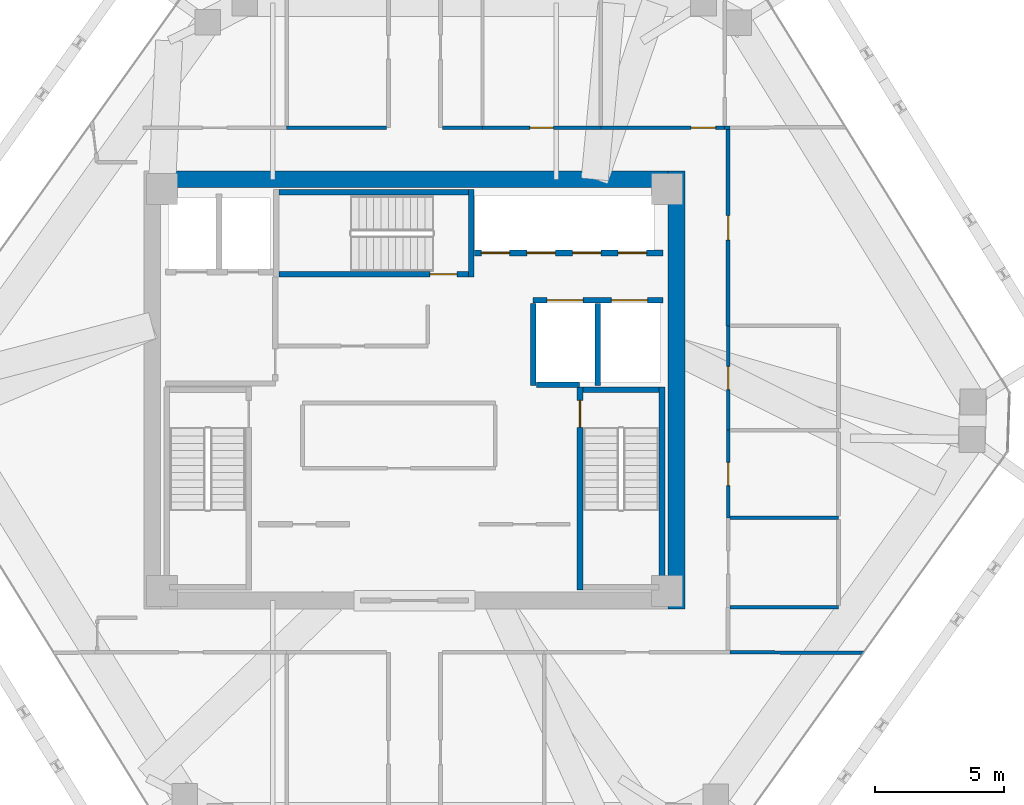
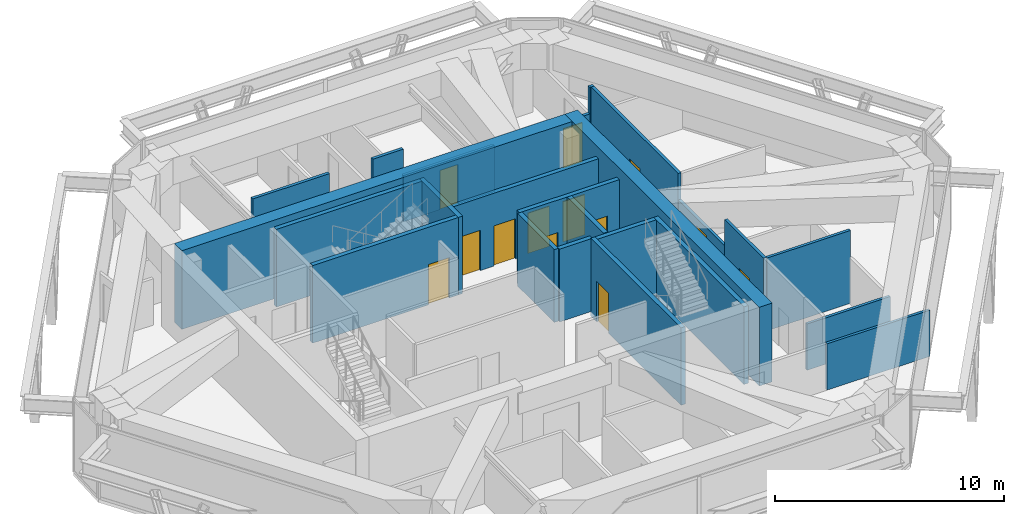
# One storey, part 9 of 11: 24 walls, 13 doors, 13 openings.
"""IFC4 building model written with IfcOpenShell, lengths in metres."""

from ifc_helpers import new_model, si_unit, direction, frame, frame_2d, origin, place, context, subcontext, project, spatial, rectangle, extrude, source, transform, mapped, material, layer, layer_set, type_object, type_shapes, element, fill, save


model = new_model("IFC4")

# Units and contexts
model_context = context("Model", 3, precision=1e-05, world=origin(), true_north=direction((0.0, 1.0)))
body_context = subcontext(model_context, "Body", "Model", "MODEL_VIEW")
ifc_project = project(units=[si_unit("LENGTHUNIT", "METRE"), si_unit("AREAUNIT", "SQUARE_METRE"), si_unit("VOLUMEUNIT", "CUBIC_METRE"), si_unit("PLANEANGLEUNIT", "RADIAN"), si_unit("MASSUNIT", "GRAM", prefix="KILO")], contexts=[model_context])

# Site, building, storey
site_placement = place(None, origin())
site = spatial("IfcSite", under=ifc_project, at=site_placement, CompositionType="ELEMENT")
building_placement = place(site_placement, origin())
building = spatial("IfcBuilding", under=site, at=building_placement, Name="Durnholm Broadcast Tower", CompositionType="ELEMENT")
storey_placement = place(building_placement, frame((0.0, 0.0, 209.199951171875)))
storey = spatial("IfcBuildingStorey", under=building, at=storey_placement, Name="L58", CompositionType="ELEMENT", Elevation=209.199951171875)

# Walls
ifc_material_1 = material(Name="Concrete C70/85", Category="concrete")
ifc_layer_1 = layer(ifc_material_1, 0.64990234375)
ifc_layer_set_1 = layer_set([ifc_layer_1], Name="Concrete C70/85")
wall_type_1 = type_object("IfcWallType", Name="WALL-CW-650", PredefinedType="SHEAR", material=ifc_layer_set_1)
wall_1_placement = place(storey_placement, frame((10.175048828125, -8.5, 0.0), z_axis=(0.0, 0.0, 1.0), x_axis=(0.0, 1.0, 0.0)))
element("IfcWall", 1, at=wall_1_placement, inside=storey, type_object=wall_type_1, Name="L58 central core shear wall CW-EAST", PredefinedType="SHEAR", context=body_context, shape_type="SweptSolid", body=[
    extrude(rectangle(XDim=17.0, YDim=0.64990234375, at=frame_2d((8.5, 0.0))), origin(), (0.0, 0.0, 1.0), 4.199951171875),
])
wall_2_placement = place(storey_placement, frame((-9.85009765625, 8.175048828125, 0.0), z_axis=(0.0, 0.0, 1.0), x_axis=(1.0, 0.0, 0.0)))
element("IfcWall", 2, at=wall_2_placement, inside=storey, type_object=wall_type_1, Name="L58 central core shear wall CW-N", PredefinedType="SHEAR", context=body_context, shape_type="SweptSolid", body=[
    extrude(rectangle(XDim=19.7001953125, YDim=0.64990234375, at=frame_2d((9.85009765625, 0.0))), origin(), (0.0, 0.0, 1.0), 4.199951171875),
])
ifc_material_2 = material(Name="Gypsum Metal Stud Partition", Category="concrete")
ifc_layer_2 = layer(ifc_material_2, 0.135009765625)
ifc_layer_set_2 = layer_set([ifc_layer_2], Name="Gypsum Metal Stud Partition")
wall_type_2 = type_object("IfcWallType", Name="WALL-PART-135", PredefinedType="PARTITIONING", material=ifc_layer_set_2)
wall_3_placement = place(storey_placement, frame((12.260009765625, -10.180419921875, 0.0), z_axis=(0.0, 0.0, 1.0), x_axis=(0.999990144117, -0.004439782427, 0.0)))
element("IfcWall", 3, at=wall_3_placement, inside=storey, type_object=wall_type_2, Name="L58 room dividing partition 17.20", PredefinedType="PARTITIONING", context=body_context, shape_type="SweptSolid", body=[
    extrude(rectangle(XDim=5.1689453125, YDim=0.135009765625, at=frame_2d((2.58447265625, 0.0))), origin(), (0.0, 0.0, 1.0), 2.469970703125),
])
ifc_material_3 = material(Name="Acoustic Gypsum Stud Partition", Category="concrete")
ifc_layer_3 = layer(ifc_material_3, 0.14990234375)
ifc_layer_set_3 = layer_set([ifc_layer_3], Name="Acoustic Gypsum Stud Partition")
wall_type_3 = type_object("IfcWallType", Name="WALL-PART-150", PredefinedType="PARTITIONING", material=ifc_layer_set_3)
wall_4_placement = place(storey_placement, frame((-1.089111328125, 10.179931640625, 0.0), z_axis=(0.0, 0.0, 1.0), x_axis=(-1.0, 0.0, 0.0)))
element("IfcWall", 4, at=wall_4_placement, inside=storey, type_object=wall_type_3, Name="L58 Soundtrack Mixing Office corridor partition", PredefinedType="PARTITIONING", context=body_context, shape_type="SweptSolid", body=[
    extrude(rectangle(XDim=3.870849609375, YDim=0.14990234375, at=frame_2d((1.935546875, 0.0))), origin(), (0.0, 0.0, 1.0), 3.885009765625),
])
wall_5_placement = place(storey_placement, frame((2.639892578125, 10.179931640625, 0.0), z_axis=(0.0, 0.0, 1.0), x_axis=(-1.0, 0.0, 0.0)))
element("IfcWall", 5, at=wall_5_placement, inside=storey, type_object=wall_type_3, Name="L58 Licensing Meeting Room corridor partition", PredefinedType="PARTITIONING", context=body_context, shape_type="SweptSolid", body=[
    extrude(rectangle(XDim=1.55078125, YDim=0.14990234375, at=frame_2d((0.775390625, 0.0))), origin(), (0.0, 0.0, 1.0), 3.885009765625),
])

# Wall, opening, door
wall_6_placement = place(storey_placement, frame((7.239990234375, 10.179931640625, 0.0), z_axis=(0.0, 0.0, 1.0), x_axis=(-1.0, 0.0, 0.0)))
wall_6 = element("IfcWall", 6, at=wall_6_placement, inside=storey, type_object=wall_type_3, Name="L58 Composer Office 1 corridor partition", PredefinedType="PARTITIONING", context=body_context, shape_type="SweptSolid", body=[
    extrude(rectangle(XDim=4.60009765625, YDim=0.14990234375, at=frame_2d((2.300048828125, 0.0))), origin(), (0.0, 0.0, 1.0), 2.469970703125),
])
opening_1_placement = place(wall_6_placement, frame((1.840087890625, 0.0, 0.0)))
opening_1 = element("IfcOpeningElement", 7, at=opening_1_placement, cuts=wall_6, Name="Opening DR-92R", PredefinedType="OPENING", context=body_context, shape_type="SweptSolid", body=[
    extrude(rectangle(XDim=0.919921875, YDim=2.10009765625, at=frame_2d((0.4599609375, 1.050048828125))), frame((0.0, 0.0849609375, 0.0), z_axis=(0.0, -1.0, 0.0), x_axis=(1.0, 0.0, 0.0)), (0.0, 0.0, 1.0), 0.169921875),
])
ifc_material_4 = material(Name="Oak Veneer Office Door", Category="wood")
ifc_layer_4 = layer(ifc_material_4, 0.050048828125)
ifc_layer_set_4 = layer_set([ifc_layer_4], Name="Oak Veneer Office Door")
door_type_1 = type_object("IfcDoorType", Name="DOOR-RM-920R", OperationType="NOTDEFINED", PredefinedType="DOOR", material=ifc_layer_set_4)
shared_shape_1 = source(origin(), body_context, "Body", "SweptSolid", [
    extrude(rectangle(XDim=0.919921875, YDim=2.10009765625, at=frame_2d((0.4599609375, 1.050048828125))), frame((0.0, 0.02490234375, 0.0), z_axis=(0.0, -1.0, 0.0), x_axis=(1.0, 0.0, 0.0)), (0.0, 0.0, 1.0), 0.050048828125),
])
type_shapes(door_type_1, [shared_shape_1])
door_1_placement = place(opening_1_placement, origin())
door_1 = element("IfcDoor", 8, at=door_1_placement, inside=storey, type_object=door_type_1, Name="L58 Composer Office 1 entrance door", OperationType="SINGLE_SWING_RIGHT", OverallHeight=2.10009765625, OverallWidth=0.919921875, PredefinedType="DOOR", context=body_context, shape_type="MappedRepresentation", body=[
    mapped(shared_shape_1, transform((0.0, 0.0, 0.0), x_axis=(1.0, 0.0, 0.0), y_axis=(0.0, 1.0, 0.0), z_axis=(0.0, 0.0, 1.0), scale=1.0)),
])
fill(opening_1, door_1)

wall_7_placement = place(storey_placement, frame((12.0400390625, 10.179931640625, 0.0), z_axis=(0.0, 0.0, 1.0), x_axis=(-1.0, 0.0, 0.0)))
wall_7 = element("IfcWall", 9, at=wall_7_placement, inside=storey, type_object=wall_type_3, Name="L58 Composer Office 2 corridor partition", PredefinedType="PARTITIONING", context=body_context, shape_type="SweptSolid", body=[
    extrude(rectangle(XDim=4.800048828125, YDim=0.14990234375, at=frame_2d((2.39990234375, 0.0))), origin(), (0.0, 0.0, 1.0), 2.469970703125),
])
opening_2_placement = place(wall_7_placement, frame((0.35009765625, 0.0, 0.0)))
opening_2 = element("IfcOpeningElement", 10, at=opening_2_placement, cuts=wall_7, Name="Opening DR-95L", PredefinedType="OPENING", context=body_context, shape_type="SweptSolid", body=[
    extrude(rectangle(XDim=0.949951171875, YDim=2.10009765625, at=frame_2d((0.47509765625, 1.050048828125))), frame((0.0, 0.0849609375, 0.0), z_axis=(0.0, -1.0, 0.0), x_axis=(1.0, 0.0, 0.0)), (0.0, 0.0, 1.0), 0.169921875),
])
ifc_material_5 = material(Name="Acoustic Oak Veneer Timber Door", Category="wood")
ifc_layer_5 = layer(ifc_material_5, 0.050048828125)
ifc_layer_set_5 = layer_set([ifc_layer_5], Name="Acoustic Oak Veneer Timber Door")
door_type_2 = type_object("IfcDoorType", Name="DOOR-RM-950L", OperationType="NOTDEFINED", PredefinedType="DOOR", material=ifc_layer_set_5)
shared_shape_2 = source(origin(), body_context, "Body", "SweptSolid", [
    extrude(rectangle(XDim=0.949951171875, YDim=2.10009765625, at=frame_2d((0.47509765625, 1.050048828125))), frame((0.0, 0.02490234375, 0.0), z_axis=(0.0, -1.0, 0.0), x_axis=(1.0, 0.0, 0.0)), (0.0, 0.0, 1.0), 0.050048828125),
])
type_shapes(door_type_2, [shared_shape_2])
door_2_placement = place(opening_2_placement, origin())
door_2 = element("IfcDoor", 11, at=door_2_placement, inside=storey, type_object=door_type_2, Name="L58 Composer Office 2 entrance door", OperationType="SINGLE_SWING_LEFT", OverallHeight=2.10009765625, OverallWidth=0.949951171875, PredefinedType="DOOR", context=body_context, shape_type="MappedRepresentation", body=[
    mapped(shared_shape_2, transform((0.0, 0.0, 0.0), x_axis=(1.0, 0.0, 0.0), y_axis=(0.0, 1.0, 0.0), z_axis=(0.0, 0.0, 1.0), scale=1.0)),
])
fill(opening_2, door_2)

# Wall
wall_8_placement = place(storey_placement, frame((12.260009765625, 10.179931640625, 0.0), z_axis=(0.0, 0.0, 1.0), x_axis=(-1.0, 0.0, 0.0)))
element("IfcWall", 12, at=wall_8_placement, inside=storey, type_object=wall_type_3, Name="L58 Royalty Analyst Office corridor partition", PredefinedType="PARTITIONING", context=body_context, shape_type="SweptSolid", body=[
    extrude(rectangle(XDim=0.219970703125, YDim=0.14990234375, at=frame_2d((0.10986328125, 0.0))), origin(), (0.0, 0.0, 1.0), 3.885009765625),
])

# Wall, opening, door
wall_9_placement = place(storey_placement, frame((12.179931640625, 2.489990234375, 0.0), z_axis=(0.0, 0.0, 1.0), x_axis=(0.0, 1.0, 0.0)))
wall_9 = element("IfcWall", 13, at=wall_9_placement, inside=storey, type_object=wall_type_3, Name="L58 Composer Office 2 corridor partition", PredefinedType="PARTITIONING", context=body_context, shape_type="SweptSolid", body=[
    extrude(rectangle(XDim=7.611083984375, YDim=0.14990234375, at=frame_2d((3.8056640625, 0.0))), origin(), (0.0, 0.0, 1.0), 3.885009765625),
])
opening_3_placement = place(wall_9_placement, frame((3.33056640625, 0.0, 0.0)))
opening_3 = element("IfcOpeningElement", 14, at=opening_3_placement, cuts=wall_9, Name="Opening DR-95R", PredefinedType="OPENING", context=body_context, shape_type="SweptSolid", body=[
    extrude(rectangle(XDim=0.949951171875, YDim=2.10009765625, at=frame_2d((0.47509765625, 1.050048828125))), frame((0.0, 0.0849609375, 0.0), z_axis=(0.0, -1.0, 0.0), x_axis=(1.0, 0.0, 0.0)), (0.0, 0.0, 1.0), 0.169921875),
])
ifc_layer_6 = layer(ifc_material_5, 0.050048828125)
ifc_layer_set_6 = layer_set([ifc_layer_6], Name="Acoustic Oak Veneer Timber Door")
door_type_3 = type_object("IfcDoorType", Name="DOOR-RM-950R", OperationType="NOTDEFINED", PredefinedType="DOOR", material=ifc_layer_set_6)
shared_shape_3 = source(origin(), body_context, "Body", "SweptSolid", [
    extrude(rectangle(XDim=0.949951171875, YDim=2.10009765625, at=frame_2d((0.47509765625, 1.050048828125))), frame((0.0, 0.02490234375, 0.0), z_axis=(0.0, -1.0, 0.0), x_axis=(1.0, 0.0, 0.0)), (0.0, 0.0, 1.0), 0.050048828125),
])
type_shapes(door_type_3, [shared_shape_3])
door_3_placement = place(opening_3_placement, origin())
door_3 = element("IfcDoor", 15, at=door_3_placement, inside=storey, type_object=door_type_3, Name="L58 Composer Office 2 entrance door", OperationType="SINGLE_SWING_RIGHT", OverallHeight=2.10009765625, OverallWidth=0.949951171875, PredefinedType="DOOR", context=body_context, shape_type="MappedRepresentation", body=[
    mapped(shared_shape_3, transform((0.0, 0.0, 0.0), x_axis=(1.0, 0.0, 0.0), y_axis=(0.0, 1.0, 0.0), z_axis=(0.0, 0.0, 1.0), scale=1.0)),
])
fill(opening_3, door_3)

# Wall, openings, doors
ifc_material_6 = material(Name="Concrete Blockwork C30/37", Category="masonry")
ifc_layer_7 = layer(ifc_material_6, 0.219970703125)
ifc_layer_set_7 = layer_set([ifc_layer_7], Name="Concrete Blockwork C30/37")
wall_type_4 = type_object("IfcWallType", Name="WALL-SHAFT-220", PredefinedType="SOLIDWALL", material=ifc_layer_set_7)
wall_10_placement = place(storey_placement, frame((4.60009765625, 3.47998046875, 0.0), z_axis=(0.0, 0.0, 1.0), x_axis=(1.0, 0.0, 0.0)))
wall_10 = element("IfcWall", 16, at=wall_10_placement, inside=storey, type_object=wall_type_4, Name="L58 freight service lifts north front wall", PredefinedType="SOLIDWALL", context=body_context, shape_type="SweptSolid", body=[
    extrude(rectangle(XDim=5.0498046875, YDim=0.219970703125, at=frame_2d((2.52490234375, 0.0))), origin(), (0.0, 0.0, 1.0), 3.885009765625),
])
opening_4_placement = place(wall_10_placement, frame((0.550048828125, 0.0, 0.0)))
opening_4 = element("IfcOpeningElement", 17, at=opening_4_placement, cuts=wall_10, Name="Opening LD-SVL-2", PredefinedType="OPENING", context=body_context, shape_type="SweptSolid", body=[
    extrude(rectangle(XDim=1.39990234375, YDim=2.14990234375, at=frame_2d((0.699951171875, 1.074951171875))), frame((0.0, 0.1201171875, 0.0), z_axis=(0.0, -1.0, 0.0), x_axis=(1.0, 0.0, 0.0)), (0.0, 0.0, 1.0), 0.239990234375),
])
opening_5_placement = place(wall_10_placement, frame((3.050048828125, 0.0, 0.0)))
opening_5 = element("IfcOpeningElement", 18, at=opening_5_placement, cuts=wall_10, Name="Opening LD-SVL-1", PredefinedType="OPENING", context=body_context, shape_type="SweptSolid", body=[
    extrude(rectangle(XDim=1.39990234375, YDim=2.14990234375, at=frame_2d((0.699951171875, 1.074951171875))), frame((0.0, 0.1201171875, 0.0), z_axis=(0.0, -1.0, 0.0), x_axis=(1.0, 0.0, 0.0)), (0.0, 0.0, 1.0), 0.239990234375),
])
ifc_material_7 = material(Name="Freight Elevator Bi-Parting Sliding Landing Door", Category="steel")
ifc_layer_8 = layer(ifc_material_7, 0.050048828125)
ifc_layer_set_8 = layer_set([ifc_layer_8], Name="Freight Elevator Bi-Parting Sliding Landing Door")
door_type_4 = type_object("IfcDoorType", Name="DOOR-LIFT-SVL", OperationType="DOUBLE_DOOR_SLIDING", PredefinedType="DOOR", material=ifc_layer_set_8)
shared_shape_4 = source(origin(), body_context, "Body", "SweptSolid", [
    extrude(rectangle(XDim=1.39990234375, YDim=2.14990234375, at=frame_2d((0.699951171875, 1.074951171875))), frame((0.0, 0.02490234375, 0.0), z_axis=(0.0, -1.0, 0.0), x_axis=(1.0, 0.0, 0.0)), (0.0, 0.0, 1.0), 0.050048828125),
])
type_shapes(door_type_4, [shared_shape_4])
door_4_placement = place(opening_4_placement, origin())
door_4 = element("IfcDoor", 19, at=door_4_placement, inside=storey, type_object=door_type_4, Name="L58 freight service elevator SVL-2 sliding landing door", OperationType="DOUBLE_DOOR_SLIDING", OverallHeight=2.14990234375, OverallWidth=1.39990234375, PredefinedType="DOOR", context=body_context, shape_type="MappedRepresentation", body=[
    mapped(shared_shape_4, transform((0.0, 0.0, 0.0), x_axis=(1.0, 0.0, 0.0), y_axis=(0.0, 1.0, 0.0), z_axis=(0.0, 0.0, 1.0), scale=1.0)),
])
fill(opening_4, door_4)
door_5_placement = place(opening_5_placement, origin())
door_5 = element("IfcDoor", 20, at=door_5_placement, inside=storey, type_object=door_type_4, Name="L58 freight service elevator SVL-1 sliding landing door", OperationType="DOUBLE_DOOR_SLIDING", OverallHeight=2.14990234375, OverallWidth=1.39990234375, PredefinedType="DOOR", context=body_context, shape_type="MappedRepresentation", body=[
    mapped(shared_shape_4, transform((0.0, 0.0, 0.0), x_axis=(1.0, 0.0, 0.0), y_axis=(0.0, 1.0, 0.0), z_axis=(0.0, 0.0, 1.0), scale=1.0)),
])
fill(opening_5, door_5)

# Walls
for number, where, z_axis, x_axis, name in (
    (21, (4.6201171875, 0.179931640625, 0.0), (0.0, 0.0, 1.0), (0.0, 1.0, 0.0), "L58 freight service lift SVL-2 west wall"),
    (22, (7.1201171875, 0.179931640625, 0.0), (0.0, 0.0, 1.0), (0.0, 1.0, 0.0), "L58 freight service lifts divider wall"),
):
    element("IfcWall", number, at=place(storey_placement, frame(where, z_axis=z_axis, x_axis=x_axis)), inside=storey, type_object=wall_type_4, Name=name, PredefinedType="SOLIDWALL", context=body_context, shape_type="SweptSolid", body=[
        extrude(rectangle(XDim=3.18603515625, YDim=0.219970703125, at=frame_2d((1.593017578125, 0.0))), origin(), (0.0, 0.0, 1.0), 3.885009765625),
    ])
wall_11_placement = place(storey_placement, frame((4.73388671875, 0.199951171875, 0.0), z_axis=(0.0, 0.0, 1.0), x_axis=(1.0, 0.0, 0.0)))
element("IfcWall", 23, at=wall_11_placement, inside=storey, type_object=wall_type_4, Name="L58 freight service lift SVL-2 south wall", PredefinedType="SOLIDWALL", context=body_context, shape_type="SweptSolid", body=[
    extrude(rectangle(XDim=1.666015625, YDim=0.219970703125, at=frame_2d((0.8330078125, 0.0))), origin(), (0.0, 0.0, 1.0), 3.885009765625),
])

# Wall, openings, doors
wall_12_placement = place(storey_placement, frame((2.324951171875, 5.320068359375, 0.0), z_axis=(0.0, 0.0, 1.0), x_axis=(1.0, 0.0, 0.0)))
wall_12 = element("IfcWall", 24, at=wall_12_placement, inside=storey, type_object=wall_type_4, Name="L58 high-rise bank P3 south front wall", PredefinedType="SOLIDWALL", context=body_context, shape_type="SweptSolid", body=[
    extrude(rectangle(XDim=7.324951171875, YDim=0.219970703125, at=frame_2d((3.66259765625, 0.0))), origin(), (0.0, 0.0, 1.0), 3.885009765625),
])
opening_6_placement = place(wall_12_placement, frame((0.27490234375, 0.0, 0.0)))
opening_6 = element("IfcOpeningElement", 25, at=opening_6_placement, cuts=wall_12, Name="Opening LD-LP3-1", PredefinedType="OPENING", context=body_context, shape_type="SweptSolid", body=[
    extrude(rectangle(XDim=1.10009765625, YDim=2.14990234375, at=frame_2d((0.550048828125, 1.074951171875))), frame((0.0, 0.1201171875, 0.0), z_axis=(0.0, -1.0, 0.0), x_axis=(1.0, 0.0, 0.0)), (0.0, 0.0, 1.0), 0.239990234375),
])
opening_7_placement = place(wall_12_placement, frame((2.044921875, 0.0, 0.0)))
opening_7 = element("IfcOpeningElement", 26, at=opening_7_placement, cuts=wall_12, Name="Opening LD-LP3-2", PredefinedType="OPENING", context=body_context, shape_type="SweptSolid", body=[
    extrude(rectangle(XDim=1.10009765625, YDim=2.14990234375, at=frame_2d((0.550048828125, 1.074951171875))), frame((0.0, 0.1201171875, 0.0), z_axis=(0.0, -1.0, 0.0), x_axis=(1.0, 0.0, 0.0)), (0.0, 0.0, 1.0), 0.239990234375),
])
opening_8_placement = place(wall_12_placement, frame((3.81494140625, 0.0, 0.0)))
opening_8 = element("IfcOpeningElement", 27, at=opening_8_placement, cuts=wall_12, Name="Opening LD-LP3-3", PredefinedType="OPENING", context=body_context, shape_type="SweptSolid", body=[
    extrude(rectangle(XDim=1.10009765625, YDim=2.14990234375, at=frame_2d((0.550048828125, 1.074951171875))), frame((0.0, 0.1201171875, 0.0), z_axis=(0.0, -1.0, 0.0), x_axis=(1.0, 0.0, 0.0)), (0.0, 0.0, 1.0), 0.239990234375),
])
opening_9_placement = place(wall_12_placement, frame((5.5849609375, 0.0, 0.0)))
opening_9 = element("IfcOpeningElement", 28, at=opening_9_placement, cuts=wall_12, Name="Opening LD-LP3-4", PredefinedType="OPENING", context=body_context, shape_type="SweptSolid", body=[
    extrude(rectangle(XDim=1.10009765625, YDim=2.14990234375, at=frame_2d((0.550048828125, 1.074951171875))), frame((0.0, 0.1201171875, 0.0), z_axis=(0.0, -1.0, 0.0), x_axis=(1.0, 0.0, 0.0)), (0.0, 0.0, 1.0), 0.239990234375),
])
ifc_material_8 = material(Name="Stainless Steel Sliding Elevator Landing Door", Category="steel")
ifc_layer_9 = layer(ifc_material_8, 0.050048828125)
ifc_layer_set_9 = layer_set([ifc_layer_9], Name="Stainless Steel Sliding Elevator Landing Door")
door_type_5 = type_object("IfcDoorType", Name="DOOR-LIFT-PAX", OperationType="DOUBLE_DOOR_SLIDING", PredefinedType="DOOR", material=ifc_layer_set_9)
shared_shape_5 = source(origin(), body_context, "Body", "SweptSolid", [
    extrude(rectangle(XDim=1.10009765625, YDim=2.14990234375, at=frame_2d((0.550048828125, 1.074951171875))), frame((0.0, 0.02490234375, 0.0), z_axis=(0.0, -1.0, 0.0), x_axis=(1.0, 0.0, 0.0)), (0.0, 0.0, 1.0), 0.050048828125),
])
type_shapes(door_type_5, [shared_shape_5])
door_6_placement = place(opening_6_placement, origin())
door_6 = element("IfcDoor", 29, at=door_6_placement, inside=storey, type_object=door_type_5, Name="L58 high-rise elevator LP3-1 sliding landing door", OperationType="DOUBLE_DOOR_SLIDING", OverallHeight=2.14990234375, OverallWidth=1.10009765625, PredefinedType="DOOR", context=body_context, shape_type="MappedRepresentation", body=[
    mapped(shared_shape_5, transform((0.0, 0.0, 0.0), x_axis=(1.0, 0.0, 0.0), y_axis=(0.0, 1.0, 0.0), z_axis=(0.0, 0.0, 1.0), scale=1.0)),
])
fill(opening_6, door_6)
door_7_placement = place(opening_7_placement, origin())
door_7 = element("IfcDoor", 30, at=door_7_placement, inside=storey, type_object=door_type_5, Name="L58 high-rise elevator LP3-2 sliding landing door", OperationType="DOUBLE_DOOR_SLIDING", OverallHeight=2.14990234375, OverallWidth=1.10009765625, PredefinedType="DOOR", context=body_context, shape_type="MappedRepresentation", body=[
    mapped(shared_shape_5, transform((0.0, 0.0, 0.0), x_axis=(1.0, 0.0, 0.0), y_axis=(0.0, 1.0, 0.0), z_axis=(0.0, 0.0, 1.0), scale=1.0)),
])
fill(opening_7, door_7)
door_8_placement = place(opening_8_placement, origin())
door_8 = element("IfcDoor", 31, at=door_8_placement, inside=storey, type_object=door_type_5, Name="L58 high-rise elevator LP3-3 sliding landing door", OperationType="DOUBLE_DOOR_SLIDING", OverallHeight=2.14990234375, OverallWidth=1.10009765625, PredefinedType="DOOR", context=body_context, shape_type="MappedRepresentation", body=[
    mapped(shared_shape_5, transform((0.0, 0.0, 0.0), x_axis=(1.0, 0.0, 0.0), y_axis=(0.0, 1.0, 0.0), z_axis=(0.0, 0.0, 1.0), scale=1.0)),
])
fill(opening_8, door_8)
door_9_placement = place(opening_9_placement, origin())
door_9 = element("IfcDoor", 32, at=door_9_placement, inside=storey, type_object=door_type_5, Name="L58 high-rise elevator LP3-4 sliding landing door", OperationType="DOUBLE_DOOR_SLIDING", OverallHeight=2.14990234375, OverallWidth=1.10009765625, PredefinedType="DOOR", context=body_context, shape_type="MappedRepresentation", body=[
    mapped(shared_shape_5, transform((0.0, 0.0, 0.0), x_axis=(1.0, 0.0, 0.0), y_axis=(0.0, 1.0, 0.0), z_axis=(0.0, 0.0, 1.0), scale=1.0)),
])
fill(opening_9, door_9)

# Wall
ifc_material_9 = material(Name="Concrete C50/60", Category="concrete")
ifc_layer_10 = layer(ifc_material_9, 0.219970703125)
ifc_layer_set_10 = layer_set([ifc_layer_10], Name="Concrete C50/60")
wall_type_5 = type_object("IfcWallType", Name="WALL-SW-220", PredefinedType="SHEAR", material=ifc_layer_set_10)
wall_13_placement = place(storey_placement, frame((9.610107421875, -7.77001953125, -0.239990234375), z_axis=(0.0, 0.0, 1.0), x_axis=(0.0, 1.0, 0.0)))
element("IfcWall", 33, at=wall_13_placement, inside=storey, type_object=wall_type_5, Name="L58 stair ST-2 structural shaft wall E", PredefinedType="SHEAR", context=body_context, shape_type="SweptSolid", body=[
    extrude(rectangle(XDim=7.89013671875, YDim=0.219970703125, at=frame_2d((3.945068359375, 0.0))), origin(), (0.0, 0.0, 1.0), 4.14013671875),
])

# Wall, opening, door
wall_14_placement = place(storey_placement, frame((6.429931640625, 0.1201171875, -0.239990234375), z_axis=(0.0, 0.0, 1.0), x_axis=(0.0, -1.0, 0.0)))
wall_14 = element("IfcWall", 34, at=wall_14_placement, inside=storey, type_object=wall_type_5, Name="L58 stair ST-2 structural shaft wall W", PredefinedType="SHEAR", context=body_context, shape_type="SweptSolid", body=[
    extrude(rectangle(XDim=7.89013671875, YDim=0.219970703125, at=frame_2d((3.945068359375, 0.0))), origin(), (0.0, 0.0, 1.0), 4.14013671875),
])
opening_10_placement = place(wall_14_placement, frame((0.52001953125, 0.0, 0.0)))
opening_10 = element("IfcOpeningElement", 35, at=opening_10_placement, cuts=wall_14, Name="Opening DS-90R", PredefinedType="OPENING", context=body_context, shape_type="SweptSolid", body=[
    extrude(rectangle(XDim=1.050048828125, YDim=2.14990234375, at=frame_2d((0.52490234375, 1.074951171875))), frame((0.0, 0.1201171875, 0.0), z_axis=(0.0, -1.0, 0.0), x_axis=(1.0, 0.0, 0.0)), (0.0, 0.0, 1.0), 0.239990234375),
])
ifc_material_10 = material(Name="Fire-Rated Steel Door", Category="steel")
ifc_layer_11 = layer(ifc_material_10, 0.050048828125)
ifc_layer_set_11 = layer_set([ifc_layer_11], Name="Fire-Rated Steel Door")
door_type_6 = type_object("IfcDoorType", Name="DOOR-ST-FD90-R", OperationType="NOTDEFINED", PredefinedType="DOOR", material=ifc_layer_set_11)
shared_shape_6 = source(origin(), body_context, "Body", "SweptSolid", [
    extrude(rectangle(XDim=1.050048828125, YDim=2.14990234375, at=frame_2d((0.52490234375, 1.074951171875))), frame((0.0, 0.02490234375, 0.0), z_axis=(0.0, -1.0, 0.0), x_axis=(1.0, 0.0, 0.0)), (0.0, 0.0, 1.0), 0.050048828125),
])
type_shapes(door_type_6, [shared_shape_6])
door_10_placement = place(opening_10_placement, origin())
door_10 = element("IfcDoor", 36, at=door_10_placement, inside=storey, type_object=door_type_6, Name="L58 exit stair ST-2 fire door", OperationType="SINGLE_SWING_RIGHT", OverallHeight=2.14990234375, OverallWidth=1.050048828125, PredefinedType="DOOR", context=body_context, shape_type="MappedRepresentation", body=[
    mapped(shared_shape_6, transform((0.0, 0.0, 0.0), x_axis=(1.0, 0.0, 0.0), y_axis=(0.0, 1.0, 0.0), z_axis=(0.0, 0.0, 1.0), scale=1.0)),
])
fill(opening_10, door_10)

# Walls
wall_15_placement = place(storey_placement, frame((9.5, 0.010009765625, -0.239990234375), z_axis=(0.0, 0.0, 1.0), x_axis=(-1.0, 0.0, 0.0)))
element("IfcWall", 37, at=wall_15_placement, inside=storey, type_object=wall_type_5, Name="L58 stair ST-2 structural shaft wall N", PredefinedType="SHEAR", context=body_context, shape_type="SweptSolid", body=[
    extrude(rectangle(XDim=2.9599609375, YDim=0.219970703125, at=frame_2d((1.47998046875, 0.0))), origin(), (0.0, 0.0, 1.0), 4.14013671875),
])
wall_16_placement = place(storey_placement, frame((2.2099609375, 4.3798828125, -0.239990234375), z_axis=(0.0, 0.0, 1.0), x_axis=(0.0, 1.0, 0.0)))
element("IfcWall", 38, at=wall_16_placement, inside=storey, type_object=wall_type_5, Name="L58 stair ST-3 structural shaft wall E", PredefinedType="SHEAR", context=body_context, shape_type="SweptSolid", body=[
    extrude(rectangle(XDim=3.400146484375, YDim=0.219970703125, at=frame_2d((1.7001953125, 0.0))), origin(), (0.0, 0.0, 1.0), 4.14013671875),
])

# Wall, opening, door
wall_17_placement = place(storey_placement, frame((-5.25, 4.489990234375, -0.239990234375), z_axis=(0.0, 0.0, 1.0), x_axis=(1.0, 0.0, 0.0)))
wall_17 = element("IfcWall", 39, at=wall_17_placement, inside=storey, type_object=wall_type_5, Name="L58 stair ST-3 structural shaft wall S", PredefinedType="SHEAR", context=body_context, shape_type="SweptSolid", body=[
    extrude(rectangle(XDim=7.35009765625, YDim=0.219970703125, at=frame_2d((3.675048828125, 0.0))), origin(), (0.0, 0.0, 1.0), 4.14013671875),
])
opening_11_placement = place(wall_17_placement, frame((5.85009765625, 0.0, 0.0)))
opening_11 = element("IfcOpeningElement", 40, at=opening_11_placement, cuts=wall_17, Name="Opening DS-90L", PredefinedType="OPENING", context=body_context, shape_type="SweptSolid", body=[
    extrude(rectangle(XDim=1.050048828125, YDim=2.14990234375, at=frame_2d((0.52490234375, 1.074951171875))), frame((0.0, 0.1201171875, 0.0), z_axis=(0.0, -1.0, 0.0), x_axis=(1.0, 0.0, 0.0)), (0.0, 0.0, 1.0), 0.239990234375),
])
ifc_layer_12 = layer(ifc_material_10, 0.050048828125)
ifc_layer_set_12 = layer_set([ifc_layer_12], Name="Fire-Rated Steel Door")
door_type_7 = type_object("IfcDoorType", Name="DOOR-ST-FD90-L", OperationType="NOTDEFINED", PredefinedType="DOOR", material=ifc_layer_set_12)
shared_shape_7 = source(origin(), body_context, "Body", "SweptSolid", [
    extrude(rectangle(XDim=1.050048828125, YDim=2.14990234375, at=frame_2d((0.52490234375, 1.074951171875))), frame((0.0, 0.02490234375, 0.0), z_axis=(0.0, -1.0, 0.0), x_axis=(1.0, 0.0, 0.0)), (0.0, 0.0, 1.0), 0.050048828125),
])
type_shapes(door_type_7, [shared_shape_7])
door_11_placement = place(opening_11_placement, origin())
door_11 = element("IfcDoor", 41, at=door_11_placement, inside=storey, type_object=door_type_7, Name="L58 exit stair ST-3 fire door", OperationType="SINGLE_SWING_LEFT", OverallHeight=2.14990234375, OverallWidth=1.050048828125, PredefinedType="DOOR", context=body_context, shape_type="MappedRepresentation", body=[
    mapped(shared_shape_7, transform((0.0, 0.0, 0.0), x_axis=(1.0, 0.0, 0.0), y_axis=(0.0, 1.0, 0.0), z_axis=(0.0, 0.0, 1.0), scale=1.0)),
])
fill(opening_11, door_11)

# Wall
wall_18_placement = place(storey_placement, frame((2.10009765625, 7.669921875, -0.239990234375), z_axis=(0.0, 0.0, 1.0), x_axis=(-1.0, 0.0, 0.0)))
element("IfcWall", 42, at=wall_18_placement, inside=storey, type_object=wall_type_5, Name="L58 stair ST-3 structural shaft wall N", PredefinedType="SHEAR", context=body_context, shape_type="SweptSolid", body=[
    extrude(rectangle(XDim=7.35009765625, YDim=0.219970703125, at=frame_2d((3.675048828125, 0.0))), origin(), (0.0, 0.0, 1.0), 4.14013671875),
])

# Wall, opening, door
ifc_material_11 = material(Name="Moisture-Resistant Tile Partition", Category="concrete")
ifc_layer_13 = layer(ifc_material_11, 0.139892578125)
ifc_layer_set_13 = layer_set([ifc_layer_13], Name="Moisture-Resistant Tile Partition")
wall_type_6 = type_object("IfcWallType", Name="WALL-WC-140", PredefinedType="PARTITIONING", material=ifc_layer_set_13)
wall_19_placement = place(storey_placement, frame((12.179931640625, -4.9599609375, 0.0), z_axis=(0.0, 0.0, 1.0), x_axis=(0.0, 1.0, 0.0)))
wall_19 = element("IfcWall", 43, at=wall_19_placement, inside=storey, type_object=wall_type_6, Name="L58 Women's Restroom corridor partition", PredefinedType="PARTITIONING", context=body_context, shape_type="SweptSolid", body=[
    extrude(rectangle(XDim=3.39990234375, YDim=0.139892578125, at=frame_2d((1.699951171875, 0.0))), origin(), (0.0, 0.0, 1.0), 3.885009765625),
])
opening_12_placement = place(wall_19_placement, frame((1.25, 0.0, 0.0)))
opening_12 = element("IfcOpeningElement", 44, at=opening_12_placement, cuts=wall_19, Name="Opening DW-90L", PredefinedType="OPENING", context=body_context, shape_type="SweptSolid", body=[
    extrude(rectangle(XDim=0.89990234375, YDim=2.050048828125, at=frame_2d((0.449951171875, 1.02490234375))), frame((0.0, 0.080078125, 0.0), z_axis=(0.0, -1.0, 0.0), x_axis=(1.0, 0.0, 0.0)), (0.0, 0.0, 1.0), 0.159912109375),
])
ifc_material_12 = material(Name="Laminate Restroom Door", Category="steel")
ifc_layer_14 = layer(ifc_material_12, 0.050048828125)
ifc_layer_set_14 = layer_set([ifc_layer_14], Name="Laminate Restroom Door")
door_type_8 = type_object("IfcDoorType", Name="DOOR-WC-900L", OperationType="NOTDEFINED", PredefinedType="DOOR", material=ifc_layer_set_14)
shared_shape_8 = source(origin(), body_context, "Body", "SweptSolid", [
    extrude(rectangle(XDim=0.89990234375, YDim=2.050048828125, at=frame_2d((0.449951171875, 1.02490234375))), frame((0.0, 0.02490234375, 0.0), z_axis=(0.0, -1.0, 0.0), x_axis=(1.0, 0.0, 0.0)), (0.0, 0.0, 1.0), 0.050048828125),
])
type_shapes(door_type_8, [shared_shape_8])
door_12_placement = place(opening_12_placement, origin())
door_12 = element("IfcDoor", 45, at=door_12_placement, inside=storey, type_object=door_type_8, Name="L58 Women's Restroom entrance door", OperationType="SINGLE_SWING_LEFT", OverallHeight=2.050048828125, OverallWidth=0.89990234375, PredefinedType="DOOR", context=body_context, shape_type="MappedRepresentation", body=[
    mapped(shared_shape_8, transform((0.0, 0.0, 0.0), x_axis=(1.0, 0.0, 0.0), y_axis=(0.0, 1.0, 0.0), z_axis=(0.0, 0.0, 1.0), scale=1.0)),
])
fill(opening_12, door_12)

wall_20_placement = place(storey_placement, frame((12.179931640625, -1.56005859375, 0.0), z_axis=(0.0, 0.0, 1.0), x_axis=(0.0, 1.0, 0.0)))
wall_20 = element("IfcWall", 46, at=wall_20_placement, inside=storey, type_object=wall_type_6, Name="L58 Accessible Restroom corridor partition", PredefinedType="PARTITIONING", context=body_context, shape_type="SweptSolid", body=[
    extrude(rectangle(XDim=4.050048828125, YDim=0.139892578125, at=frame_2d((2.02490234375, 0.0))), origin(), (0.0, 0.0, 1.0), 2.469970703125),
])
opening_13_placement = place(wall_20_placement, frame((1.574951171875, 0.0, 0.0)))
opening_13 = element("IfcOpeningElement", 47, at=opening_13_placement, cuts=wall_20, Name="Opening DW-90R", PredefinedType="OPENING", context=body_context, shape_type="SweptSolid", body=[
    extrude(rectangle(XDim=0.89990234375, YDim=2.050048828125, at=frame_2d((0.449951171875, 1.02490234375))), frame((0.0, 0.080078125, 0.0), z_axis=(0.0, -1.0, 0.0), x_axis=(1.0, 0.0, 0.0)), (0.0, 0.0, 1.0), 0.159912109375),
])
ifc_layer_15 = layer(ifc_material_12, 0.050048828125)
ifc_layer_set_15 = layer_set([ifc_layer_15], Name="Laminate Restroom Door")
door_type_9 = type_object("IfcDoorType", Name="DOOR-WC-900R", OperationType="NOTDEFINED", PredefinedType="DOOR", material=ifc_layer_set_15)
shared_shape_9 = source(origin(), body_context, "Body", "SweptSolid", [
    extrude(rectangle(XDim=0.89990234375, YDim=2.050048828125, at=frame_2d((0.449951171875, 1.02490234375))), frame((0.0, 0.02490234375, 0.0), z_axis=(0.0, -1.0, 0.0), x_axis=(1.0, 0.0, 0.0)), (0.0, 0.0, 1.0), 0.050048828125),
])
type_shapes(door_type_9, [shared_shape_9])
door_13_placement = place(opening_13_placement, origin())
door_13 = element("IfcDoor", 48, at=door_13_placement, inside=storey, type_object=door_type_9, Name="L58 Accessible Restroom entrance door", OperationType="SINGLE_SWING_RIGHT", OverallHeight=2.050048828125, OverallWidth=0.89990234375, PredefinedType="DOOR", context=body_context, shape_type="MappedRepresentation", body=[
    mapped(shared_shape_9, transform((0.0, 0.0, 0.0), x_axis=(1.0, 0.0, 0.0), y_axis=(0.0, 1.0, 0.0), z_axis=(0.0, 0.0, 1.0), scale=1.0)),
])
fill(opening_13, door_13)

# Walls
wall_21_placement = place(storey_placement, frame((12.25390625, -4.9599609375, 0.0), z_axis=(0.0, 0.0, 1.0), x_axis=(1.0, 0.0, 0.0)))
element("IfcWall", 49, at=wall_21_placement, inside=storey, type_object=wall_type_6, Name="L58 room dividing partition 5.6", PredefinedType="PARTITIONING", context=body_context, shape_type="SweptSolid", body=[
    extrude(rectangle(XDim=4.2060546875, YDim=0.139892578125, at=frame_2d((2.10302734375, 0.0))), origin(), (0.0, 0.0, 1.0), 3.885009765625),
])
wall_22_placement = place(storey_placement, frame((16.4599609375, -8.43994140625, 0.0), z_axis=(0.0, 0.0, 1.0), x_axis=(-1.0, 0.0, 0.0)))
element("IfcWall", 50, at=wall_22_placement, inside=storey, type_object=wall_type_6, Name="L58 room dividing partition 5.20", PredefinedType="PARTITIONING", context=body_context, shape_type="SweptSolid", body=[
    extrude(rectangle(XDim=4.200927734375, YDim=0.139892578125, at=frame_2d((2.1005859375, 0.0))), origin(), (0.0, 0.0, 1.0), 2.469970703125),
])

save(model, "model.ifc")
